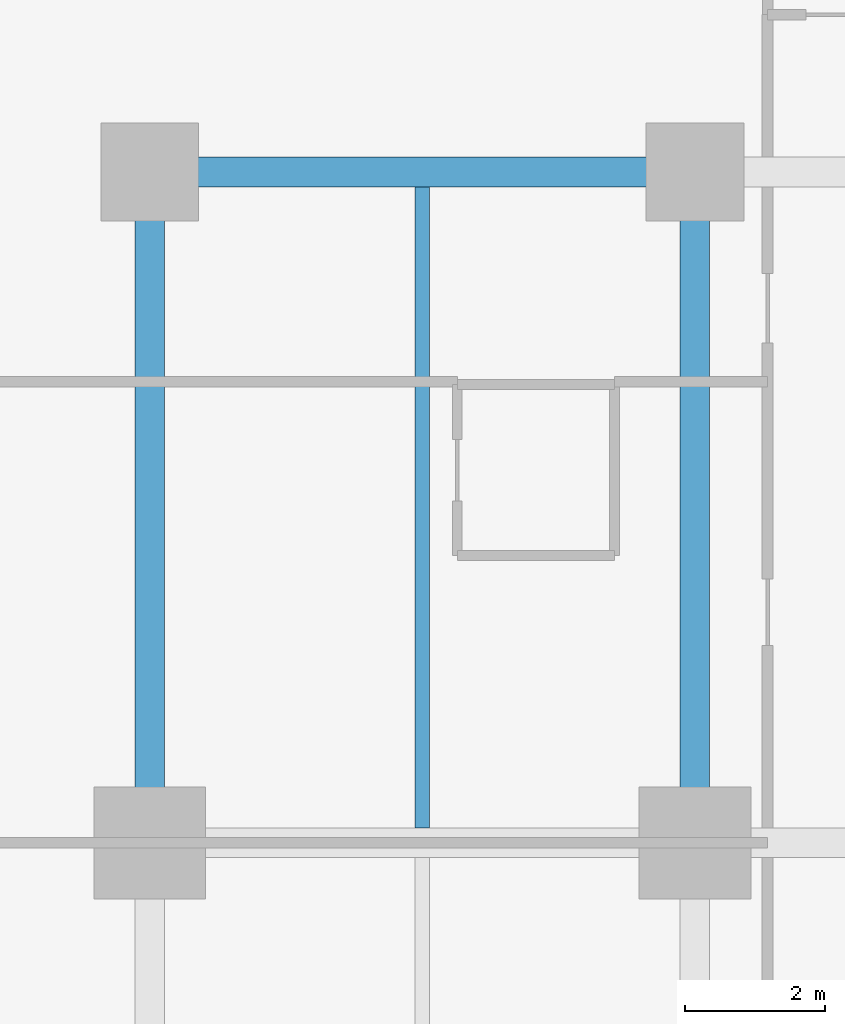
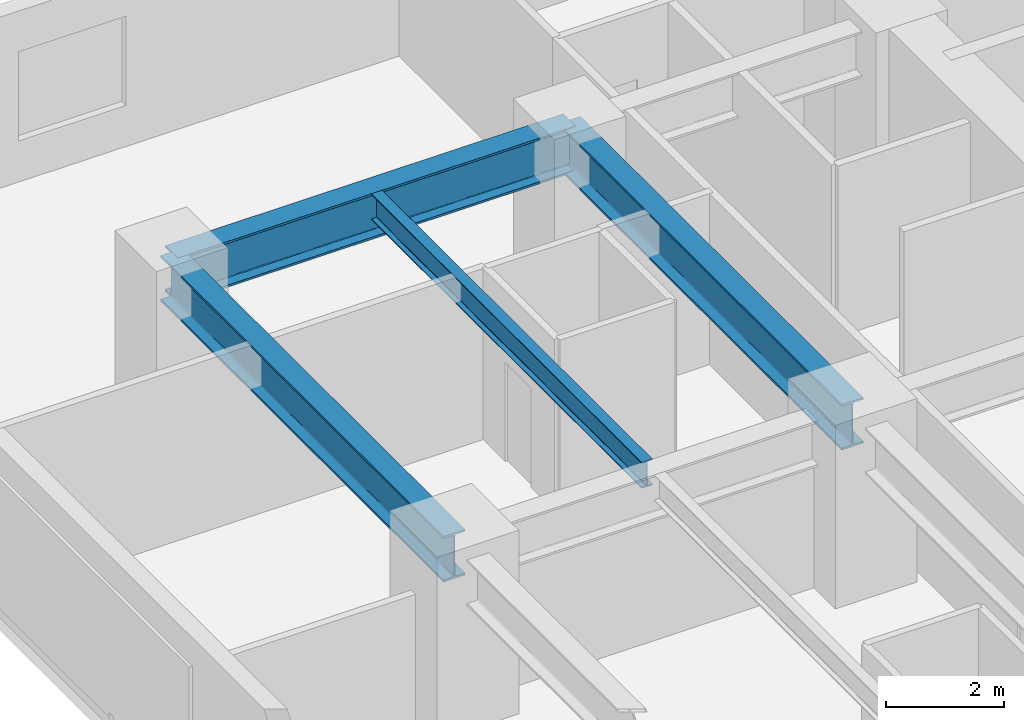
# One storey, part 2 of 12: 4 beams.
"""IFC4 building model written with IfcOpenShell, lengths in metres."""

import ifcopenshell
import ifcopenshell.guid

model = None  # the IFC model being written
_history = None  # IfcOwnerHistory: only IFC2X3 demands one
_inside = {}  # id of a spatial element -> (the spatial element, [elements in it])
_under = {}  # id of a project, library or spatial element -> (it, [spatial elements below it])
_declared = {}  # id of a project -> (the project, [libraries it declares])
_typed = {}  # id of a type object -> (the type object, [elements of that type])
_made_of = {}  # id of a material, layer set ... -> (it, [elements and type objects made of it])


def new_model(schema):
    """Start an empty IFC model of exactly this schema.

    Asked for "IFC4X3", IfcOpenShell would pick the latest addendum, in which some entities
    have other attributes; the version numbers below select the first issue.
    IFC2X3 requires an IfcOwnerHistory on every rooted entity: one is made here for all.
    """
    global model, _history
    if schema == "IFC4X3":
        model = ifcopenshell.file(schema_version=(4, 3, 0, 0))
    else:
        model = ifcopenshell.file(schema=schema)
    _inside.clear()
    _under.clear()
    _declared.clear()
    _typed.clear()
    _made_of.clear()
    _history = None
    if model.schema == "IFC2X3":
        org = make("IfcOrganization", Name="unknown")
        user = make(
            "IfcPersonAndOrganization",
            ThePerson=make("IfcPerson", FamilyName="unknown"),
            TheOrganization=org,
        )
        app = make(
            "IfcApplication",
            ApplicationDeveloper=org,
            Version="unknown",
            ApplicationFullName="unknown",
            ApplicationIdentifier="unknown",
        )
        _history = make(
            "IfcOwnerHistory",
            OwningUser=user,
            OwningApplication=app,
            ChangeAction="ADDED",
            CreationDate=0,
        )
    return model


def make(cls, **values):
    """One entity of the class cls with the attributes given. An attribute that is None is left unset."""
    return model.create_entity(
        cls, **{name: value for name, value in values.items() if value is not None}
    )


def rooted(cls, **values):
    """An entity with a GlobalId (a new one), such as an element, a storey or a relation."""
    return make(cls, GlobalId=ifcopenshell.guid.new(), OwnerHistory=_history, **values)


def si_unit(unit_type, name, prefix=None):
    """IfcSIUnit, for example si_unit("LENGTHUNIT", "METRE", prefix="MILLI")."""
    return make("IfcSIUnit", UnitType=unit_type, Prefix=prefix, Name=name)


def assignment(units):
    """IfcUnitAssignment: the units of a project."""
    return None if units is None else make("IfcUnitAssignment", Units=units)


def point(xyz):
    """IfcCartesianPoint."""
    return None if xyz is None else make("IfcCartesianPoint", Coordinates=xyz)


def direction(xyz):
    """IfcDirection."""
    return None if xyz is None else make("IfcDirection", DirectionRatios=xyz)


def frame(location, z_axis=None, x_axis=None):
    """IfcAxis2Placement3D, a coordinate frame: its origin and axes. An axis left out is left unset."""
    return make(
        "IfcAxis2Placement3D",
        Location=point(location),
        Axis=direction(z_axis),
        RefDirection=direction(x_axis),
    )


def frame_2d(location, x_axis=None):
    """IfcAxis2Placement2D, a coordinate frame in the plane: its origin and x axis."""
    return make(
        "IfcAxis2Placement2D", Location=point(location), RefDirection=direction(x_axis)
    )


def origin():
    """The frame at (0, 0, 0) with its axes left unset."""
    return frame((0.0, 0.0, 0.0))


def origin_2d():
    """The frame at (0, 0) in the plane with its x axis left unset."""
    return frame_2d((0.0, 0.0))


def place(relative_to, where):
    """IfcLocalPlacement: puts the frame where relative to a parent placement (None: the world)."""
    return make(
        "IfcLocalPlacement", PlacementRelTo=relative_to, RelativePlacement=where
    )


def context(
    kind, dimensions, precision=None, world=None, true_north=None, identifier=None
):
    """IfcGeometricRepresentationContext, for example the 3D "Model" context."""
    return make(
        "IfcGeometricRepresentationContext",
        ContextIdentifier=identifier,
        ContextType=kind,
        CoordinateSpaceDimension=dimensions,
        Precision=precision,
        WorldCoordinateSystem=world,
        TrueNorth=true_north,
    )


def subcontext(parent, identifier, kind, view, scale=None):
    """IfcGeometricRepresentationSubContext, for example "Body" below "Model"."""
    return make(
        "IfcGeometricRepresentationSubContext",
        ContextIdentifier=identifier,
        ContextType=kind,
        ParentContext=parent,
        TargetScale=scale,
        TargetView=view,
    )


def project(units=None, contexts=None):
    """IfcProject with its units and contexts."""
    return rooted(
        "IfcProject",
        Name="project",
        RepresentationContexts=contexts,
        UnitsInContext=assignment(units),
    )


def spatial(cls, under=None, at=None, **own):
    """A site, building, storey or space (cls), placed at a placement, below another one or the project."""
    s = rooted(cls, ObjectPlacement=at, **own)
    if under is not None:
        _under.setdefault(under.id(), (under, []))[1].append(s)
    return s


def profile(cls, at=None, kind="AREA", **sizes):
    """A parametric profile (cls). Its sizes go by their IFC names, for example OverallWidth=200.0."""
    return make(cls, ProfileType=kind, Position=at, **sizes)


def i_section(**sizes):
    """IfcIShapeProfileDef."""
    return profile("IfcIShapeProfileDef", **sizes)


def extrude(swept, where, along, depth):
    """IfcExtrudedAreaSolid: the profile swept, set in the frame where, extruded along a direction by depth."""
    return make(
        "IfcExtrudedAreaSolid",
        SweptArea=swept,
        Position=where,
        ExtrudedDirection=direction(along),
        Depth=depth,
    )


def shape(context_of_items, identifier, shape_type, items):
    """IfcShapeRepresentation: the items that make up one representation, for example the "Body"."""
    return make(
        "IfcShapeRepresentation",
        ContextOfItems=context_of_items,
        RepresentationIdentifier=identifier,
        RepresentationType=shape_type,
        Items=items,
    )


def material(Name=None, Category=None):
    """IfcMaterial."""
    return make("IfcMaterial", Name=Name, Category=Category)


def material_profile(
    of_material, cross_section, Name=None, Category=None, Priority=None
):
    """IfcMaterialProfile: a cross section and its material."""
    return make(
        "IfcMaterialProfile",
        Name=Name,
        Material=of_material,
        Profile=cross_section,
        Priority=Priority,
        Category=Category,
    )


def profile_set(profiles, Name=None, composite=None):
    """IfcMaterialProfileSet."""
    return make(
        "IfcMaterialProfileSet",
        Name=Name,
        MaterialProfiles=profiles,
        CompositeProfile=composite,
    )


def made_of(thing, what):
    """Note that an element or type object is made of a material, layer set ...; save() writes the relation."""
    if what is not None:
        _made_of.setdefault(what.id(), (what, []))[1].append(thing)
    return thing


def type_object(cls, material=None, **own):
    """A type object (cls), such as IfcWallType, which elements share."""
    return made_of(rooted(cls, **own), material)


def element(
    cls,
    number,
    at=None,
    inside=None,
    cuts=None,
    type_object=None,
    material=None,
    context=None,
    identifier="Body",
    shape_type=None,
    held_by="IfcProductDefinitionShape",
    body=None,
    shapes=None,
    **own,
):
    """One element of the class cls, such as IfcWall. Its Tag is "e" and its number.

    at: its placement. inside: the storey or other place that contains it. cuts: it is an
    opening in that element (IfcRelVoidsElement). A single representation is given by context,
    identifier, shape_type and body (its items); several are given by shapes. held_by: the class
    of the entity that holds the representations. save() writes the other relations.
    """
    e = rooted(cls, Tag="e%d" % number, ObjectPlacement=at, **own)
    if body is not None:
        shapes = [shape(context, identifier, shape_type, body)]
    if shapes is not None:
        e.Representation = make(held_by, Representations=shapes)
    if inside is not None:
        _inside.setdefault(inside.id(), (inside, []))[1].append(e)
    if cuts is not None:
        rooted(
            "IfcRelVoidsElement", RelatingBuildingElement=cuts, RelatedOpeningElement=e
        )
    if type_object is not None:
        _typed.setdefault(type_object.id(), (type_object, []))[1].append(e)
    return made_of(e, material)


def aggregate(whole, parts):
    """IfcRelAggregates: a whole, such as a stair, and the parts it consists of."""
    return rooted("IfcRelAggregates", RelatingObject=whole, RelatedObjects=parts)


def save(model, path):
    """Write the relations noted so far, then the file.

    IfcRelAggregates (storeys below a building ...), IfcRelContainedInSpatialStructure (elements
    in a storey), IfcRelDefinesByType, IfcRelAssociatesMaterial and IfcRelDeclares: one each for
    every whole, place, type object, material and project.
    """
    for whole, parts in _under.values():
        aggregate(whole, parts)
    for where, things in _inside.values():
        rooted(
            "IfcRelContainedInSpatialStructure",
            RelatedElements=things,
            RelatingStructure=where,
        )
    for kind, things in _typed.values():
        rooted("IfcRelDefinesByType", RelatedObjects=things, RelatingType=kind)
    for what, things in _made_of.values():
        rooted("IfcRelAssociatesMaterial", RelatedObjects=things, RelatingMaterial=what)
    for by, libraries in _declared.values():
        rooted("IfcRelDeclares", RelatingContext=by, RelatedDefinitions=libraries)
    model.write(path)


model = new_model("IFC4")

# Units and contexts
model_context = context("Model", 3, precision=1e-05, world=origin(), true_north=direction((0.0, 1.0)))
body_context = subcontext(model_context, "Body", "Model", "MODEL_VIEW")
ifc_project = project(units=[si_unit("LENGTHUNIT", "METRE"), si_unit("AREAUNIT", "SQUARE_METRE"), si_unit("VOLUMEUNIT", "CUBIC_METRE"), si_unit("PLANEANGLEUNIT", "RADIAN"), si_unit("MASSUNIT", "GRAM", prefix="KILO")], contexts=[model_context])

# Site, building, storey
site_placement = place(None, origin())
site = spatial("IfcSite", under=ifc_project, at=site_placement, CompositionType="ELEMENT")
building_placement = place(site_placement, origin())
building = spatial("IfcBuilding", under=site, at=building_placement, Name="Kestravale Grand Hotel", CompositionType="ELEMENT")
storey_placement = place(building_placement, frame((0.0, 0.0, 41.199951171875)))
storey = spatial("IfcBuildingStorey", under=building, at=storey_placement, Name="L09", CompositionType="ELEMENT", Elevation=41.199951171875)

# Beams
ifc_material_1 = material(Name="Steel ASTM A992 Grade 50", Category="steel")
ifc_material_profile_1 = material_profile(ifc_material_1, i_section(OverallWidth=0.2099609375, OverallDepth=0.535888671875, WebThickness=0.010986328125, FlangeThickness=0.017333984375, FilletRadius=0.017578125, at=origin_2d()))
ifc_profile_set_1 = profile_set([ifc_material_profile_1], Name="Steel ASTM A992 Grade 50")
beam_type_1 = type_object("IfcBeamType", Name="B-FLR-JST21", PredefinedType="JOIST", material=ifc_profile_set_1)
beam_1_placement = place(storey_placement, frame((11.699951171875, 29.011962890625, 3.27197265625), z_axis=(0.0, 1.0, 0.0), x_axis=(-1.0, 0.0, 0.0)))
element("IfcBeam", 1, at=beam_1_placement, inside=storey, type_object=beam_type_1, Name="L09 floor joist 2-3/E-F #1", PredefinedType="JOIST", context=body_context, shape_type="SweptSolid", body=[
    extrude(i_section(OverallWidth=0.2099609375, OverallDepth=0.535888671875, WebThickness=0.010986328125, FlangeThickness=0.017333984375, FilletRadius=0.017578125, at=origin_2d()), origin(), (0.0, 0.0, 1.0), 9.176025390625),
])
ifc_material_2 = material(Name="Steel ASTM A992 Grade 50", Category="steel")
ifc_material_profile_2 = material_profile(ifc_material_2, i_section(OverallWidth=0.424072265625, OverallDepth=0.947021484375, WebThickness=0.02392578125, FlangeThickness=0.042724609375, FilletRadius=0.0283203125, at=origin_2d()))
ifc_profile_set_2 = profile_set([ifc_material_profile_2], Name="Steel ASTM A992 Grade 50")
beam_type_2 = type_object("IfcBeamType", Name="B-GRD-W36", PredefinedType="BEAM", material=ifc_profile_set_2)
beam_2_placement = place(storey_placement, frame((7.800048828125, 38.39990234375, 3.066650390625), z_axis=(1.0, 0.0, 0.0), x_axis=(0.0, 1.0, 0.0)))
element("IfcBeam", 2, at=beam_2_placement, inside=storey, type_object=beam_type_2, Name="L09 girder F:2-3", PredefinedType="BEAM", context=body_context, shape_type="SweptSolid", body=[
    extrude(i_section(OverallWidth=0.424072265625, OverallDepth=0.947021484375, WebThickness=0.02392578125, FlangeThickness=0.042724609375, FilletRadius=0.0283203125, at=origin_2d()), origin(), (0.0, 0.0, 1.0), 7.800048828125),
])
for number, where, z_axis, x_axis, name in (
    (3, (7.800048828125, 28.800048828125, 3.066650390625), (0.0, 1.0, 0.0), (-1.0, 0.0, 0.0), "L09 girder 2:E-F"),
    (4, (15.60009765625, 28.800048828125, 3.066650390625), (0.0, 1.0, 0.0), (-1.0, 0.0, 0.0), "L09 girder 3:E-F"),
):
    element("IfcBeam", number, at=place(storey_placement, frame(where, z_axis=z_axis, x_axis=x_axis)), inside=storey, type_object=beam_type_2, Name=name, PredefinedType="BEAM", context=body_context, shape_type="SweptSolid", body=[
        extrude(i_section(OverallWidth=0.424072265625, OverallDepth=0.947021484375, WebThickness=0.02392578125, FlangeThickness=0.042724609375, FilletRadius=0.0283203125, at=origin_2d()), origin(), (0.0, 0.0, 1.0), 9.599853515625),
    ])

save(model, "model.ifc")
